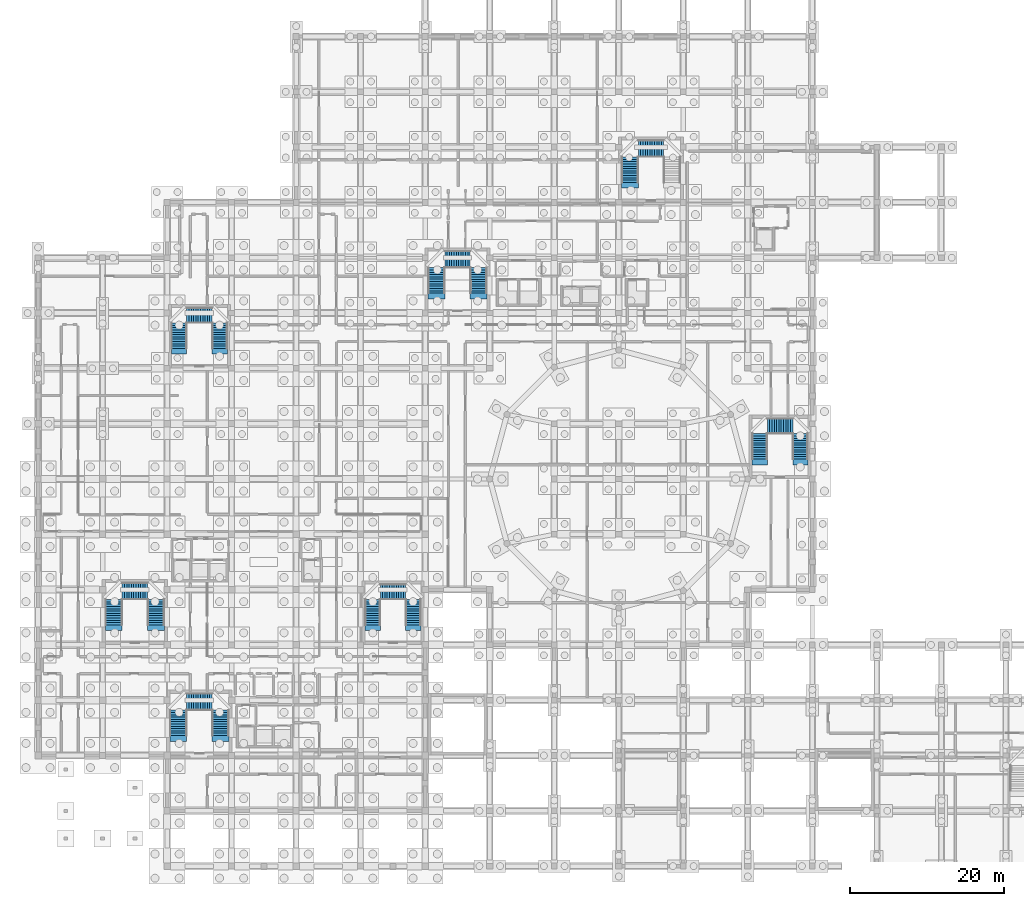
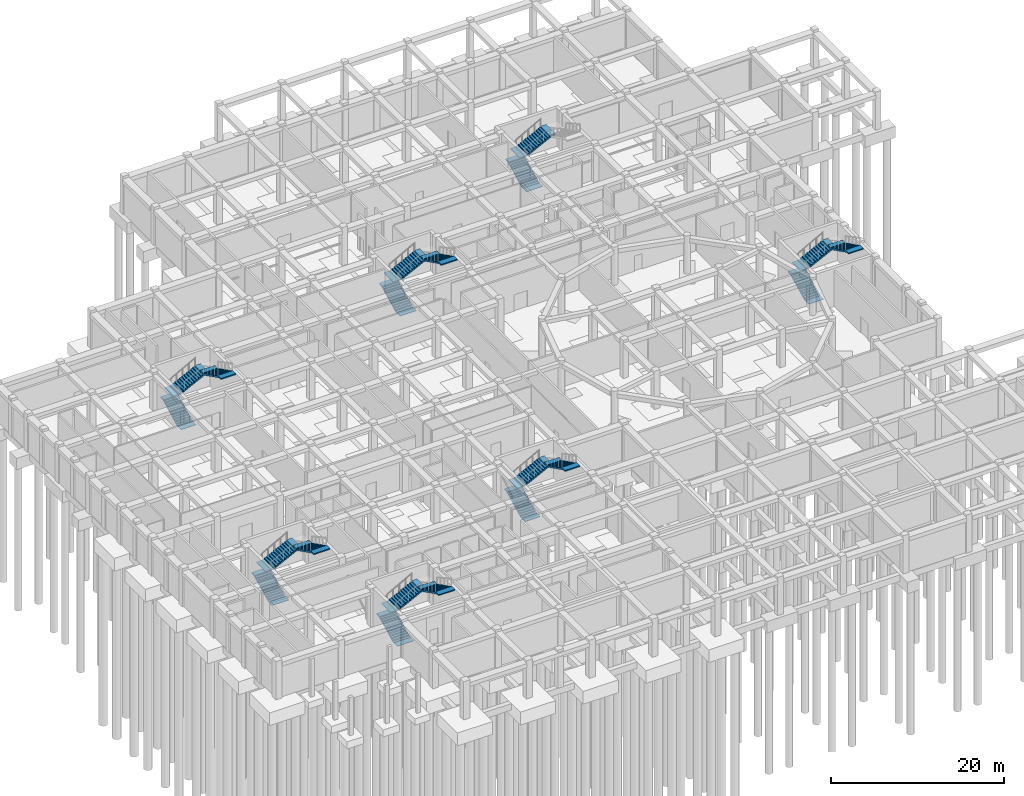
# One storey, part 28 of 32: 20 stair flights, 7 elements without a shape of their own.
"""IFC4 building model written with IfcOpenShell, lengths in metres."""

from ifc_helpers import new_model, si_unit, derived_unit, direction, frame, origin, place, context, subcontext, project, spatial, polyline, outline, extrude, material, type_object, element, aggregate, save


model = new_model("IFC4")

# Units and contexts
model_context = context("Model", 3, precision=1e-05, world=origin(), true_north=direction((0.0, 1.0)))
body_context = subcontext(model_context, "Body", "Model", "MODEL_VIEW")
ifc_project = project(units=[si_unit("LENGTHUNIT", "METRE"), si_unit("AREAUNIT", "SQUARE_METRE"), si_unit("VOLUMEUNIT", "CUBIC_METRE"), si_unit("PLANEANGLEUNIT", "RADIAN"), si_unit("MASSUNIT", "GRAM", prefix="KILO"), derived_unit("THERMALTRANSMITTANCEUNIT", [(si_unit("POWERUNIT", "WATT"), 1), (si_unit("LENGTHUNIT", "METRE"), -2), (si_unit("THERMODYNAMICTEMPERATUREUNIT", "KELVIN"), -1)])], contexts=[model_context])

# Site, building, storey
site_placement = place(None, origin())
site = spatial("IfcSite", under=ifc_project, at=site_placement, CompositionType="ELEMENT")
building_placement = place(site_placement, origin())
building = spatial("IfcBuilding", under=site, at=building_placement, Name="Veybourne Emporium", CompositionType="ELEMENT")
storey_placement = place(building_placement, frame((0.0, 0.0, -5.39990234375)))
storey = spatial("IfcBuildingStorey", under=building, at=storey_placement, Name="B1", CompositionType="ELEMENT", Elevation=-5.39990234375)

# Stair, stair flights
ifc_material = material(Name="Concrete C32/40", Category="concrete")
stair_type_1 = type_object("IfcStairType", Name="Stair_ST-05-R36", PredefinedType="TWO_QUARTER_TURN_STAIR", material=ifc_material)
stair_1_placement = place(storey_placement, origin())
stair_1 = element("IfcStair", 1, at=stair_1_placement, inside=storey, type_object=stair_type_1, Name="B1 stair ST-05", PredefinedType="TWO_QUARTER_TURN_STAIR")
stair_flight_type_1 = type_object("IfcStairFlightType", Name="Flight_FL-2000-R12", PredefinedType="STRAIGHT", material=ifc_material)
stair_flight_1_placement = place(storey_placement, frame((43.550048828125, 31.39990234375, 0.0), z_axis=(0.0, 0.0, 1.0), x_axis=(0.0, 1.0, 0.0)))
stair_flight_1 = element("IfcStairFlight", 2, at=stair_flight_1_placement, type_object=stair_flight_type_1, Name="ST-05-R36 flight 1", NumberOfRisers=12, NumberOfTreads=11, PredefinedType="STRAIGHT", RiserHeight=0.15, TreadLength=0.3, context=body_context, shape_type="SweptSolid", body=[
    extrude(outline(polyline([(-0.75, 0.0), (-0.75, 0.080078125), (-0.375, 0.080078125), (0.0, 0.080078125), (0.0, 0.14990234375), (0.300048828125, 0.14990234375), (0.300048828125, 0.300048828125), (0.60009765625, 0.300048828125), (0.60009765625, 0.449951171875), (0.89990234375, 0.449951171875), (0.89990234375, 0.60009765625), (1.199951171875, 0.60009765625), (1.199951171875, 0.75), (1.5, 0.75), (1.5, 0.89990234375), (1.800048828125, 0.89990234375), (1.800048828125, 1.050048828125), (2.10009765625, 1.050048828125), (2.10009765625, 1.199951171875), (2.39990234375, 1.199951171875), (2.39990234375, 1.35009765625), (2.699951171875, 1.35009765625), (2.699951171875, 1.5), (3.0, 1.5), (3.0, 1.64990234375), (3.300048828125, 1.64990234375), (3.300048828125, 1.800048828125), (3.675048828125, 1.800048828125), (4.050048828125, 1.800048828125), (4.050048828125, 1.639892578125), (3.675048828125, 1.639892578125), (3.300048828125, 1.47119140625), (0.357666015625, 0.0), (-0.75, 0.0)])), frame((0.0, 1.0, 0.0), z_axis=(0.0, -1.0, 0.0), x_axis=(1.0, 0.0, 0.0)), (0.0, 0.0, 1.0), 2.0),
])
stair_flight_2_placement = place(storey_placement, frame((44.550048828125, 35.699951171875, 1.7998046875), z_axis=(0.0, 0.0, 1.0), x_axis=(1.0, 0.0, 0.0)))
stair_flight_2 = element("IfcStairFlight", 3, at=stair_flight_2_placement, type_object=stair_flight_type_1, Name="ST-05-R36 flight 2", NumberOfRisers=12, NumberOfTreads=11, PredefinedType="STRAIGHT", RiserHeight=0.15, TreadLength=0.3, context=body_context, shape_type="SweptSolid", body=[
    extrude(outline(polyline([(-0.75, 0.0), (-0.75, 0.080078125), (-0.375, 0.080078125), (0.0, 0.080078125), (0.0, 0.14990234375), (0.300048828125, 0.14990234375), (0.300048828125, 0.300048828125), (0.60009765625, 0.300048828125), (0.60009765625, 0.449951171875), (0.89990234375, 0.449951171875), (0.89990234375, 0.60009765625), (1.199951171875, 0.60009765625), (1.199951171875, 0.75), (1.5, 0.75), (1.5, 0.89990234375), (1.800048828125, 0.89990234375), (1.800048828125, 1.050048828125), (2.10009765625, 1.050048828125), (2.10009765625, 1.199951171875), (2.39990234375, 1.199951171875), (2.39990234375, 1.35009765625), (2.699951171875, 1.35009765625), (2.699951171875, 1.5), (3.0, 1.5), (3.0, 1.64990234375), (3.300048828125, 1.64990234375), (3.300048828125, 1.800048828125), (3.675048828125, 1.800048828125), (4.050048828125, 1.800048828125), (4.050048828125, 1.639892578125), (3.675048828125, 1.639892578125), (3.300048828125, 1.47119140625), (0.357666015625, 0.0), (-0.75, 0.0)])), frame((0.0, 1.0, 0.0), z_axis=(0.0, -1.0, 0.0), x_axis=(1.0, 0.0, 0.0)), (0.0, 0.0, 1.0), 2.0),
])
stair_flight_3_placement = place(storey_placement, frame((48.85009765625, 34.699951171875, 3.599853515625), z_axis=(0.0, 0.0, 1.0), x_axis=(0.0, -1.0, 0.0)))
stair_flight_3 = element("IfcStairFlight", 4, at=stair_flight_3_placement, type_object=stair_flight_type_1, Name="ST-05-R36 flight 3", NumberOfRisers=12, NumberOfTreads=11, PredefinedType="STRAIGHT", RiserHeight=0.15, TreadLength=0.3, context=body_context, shape_type="SweptSolid", body=[
    extrude(outline(polyline([(-0.75, 0.0), (-0.75, 0.080078125), (-0.375, 0.080078125), (0.0, 0.080078125), (0.0, 0.14990234375), (0.300048828125, 0.14990234375), (0.300048828125, 0.300048828125), (0.60009765625, 0.300048828125), (0.60009765625, 0.449951171875), (0.89990234375, 0.449951171875), (0.89990234375, 0.60009765625), (1.199951171875, 0.60009765625), (1.199951171875, 0.75), (1.5, 0.75), (1.5, 0.89990234375), (1.800048828125, 0.89990234375), (1.800048828125, 1.050048828125), (2.10009765625, 1.050048828125), (2.10009765625, 1.199951171875), (2.39990234375, 1.199951171875), (2.39990234375, 1.35009765625), (2.699951171875, 1.35009765625), (2.699951171875, 1.5), (3.0, 1.5), (3.0, 1.64990234375), (3.300048828125, 1.64990234375), (3.300048828125, 1.800048828125), (3.675048828125, 1.800048828125), (4.050048828125, 1.800048828125), (4.050048828125, 1.639892578125), (3.675048828125, 1.639892578125), (3.300048828125, 1.47119140625), (0.357666015625, 0.0), (-0.75, 0.0)])), frame((0.0, 1.0, 0.0), z_axis=(0.0, -1.0, 0.0), x_axis=(1.0, 0.0, 0.0)), (0.0, 0.0, 1.0), 2.0),
])
aggregate(stair_1, [stair_flight_1, stair_flight_2, stair_flight_3])

stair_type_2 = type_object("IfcStairType", Name="Stair_ST-07-R36", PredefinedType="TWO_QUARTER_TURN_STAIR", material=ifc_material)
stair_2_placement = place(storey_placement, origin())
stair_2 = element("IfcStair", 5, at=stair_2_placement, inside=storey, type_object=stair_type_2, Name="B1 stair ST-07", PredefinedType="TWO_QUARTER_TURN_STAIR")
stair_flight_4_placement = place(storey_placement, frame((93.949951171875, 53.0, 0.0), z_axis=(0.0, 0.0, 1.0), x_axis=(0.0, 1.0, 0.0)))
stair_flight_4 = element("IfcStairFlight", 6, at=stair_flight_4_placement, type_object=stair_flight_type_1, Name="ST-07-R36 flight 1", NumberOfRisers=12, NumberOfTreads=11, PredefinedType="STRAIGHT", RiserHeight=0.15, TreadLength=0.3, context=body_context, shape_type="SweptSolid", body=[
    extrude(outline(polyline([(-0.75, 0.0), (-0.75, 0.080078125), (-0.375, 0.080078125), (0.0, 0.080078125), (0.0, 0.14990234375), (0.300048828125, 0.14990234375), (0.300048828125, 0.300048828125), (0.60009765625, 0.300048828125), (0.60009765625, 0.449951171875), (0.89990234375, 0.449951171875), (0.89990234375, 0.60009765625), (1.199951171875, 0.60009765625), (1.199951171875, 0.75), (1.5, 0.75), (1.5, 0.89990234375), (1.800048828125, 0.89990234375), (1.800048828125, 1.050048828125), (2.10009765625, 1.050048828125), (2.10009765625, 1.199951171875), (2.39990234375, 1.199951171875), (2.39990234375, 1.35009765625), (2.699951171875, 1.35009765625), (2.699951171875, 1.5), (3.0, 1.5), (3.0, 1.64990234375), (3.300048828125, 1.64990234375), (3.300048828125, 1.800048828125), (3.675048828125, 1.800048828125), (4.050048828125, 1.800048828125), (4.050048828125, 1.639892578125), (3.675048828125, 1.639892578125), (3.300048828125, 1.47119140625), (0.357666015625, 0.0), (-0.75, 0.0)])), frame((0.0, 1.0, 0.0), z_axis=(0.0, -1.0, 0.0), x_axis=(1.0, 0.0, 0.0)), (0.0, 0.0, 1.0), 2.0),
])
stair_flight_5_placement = place(storey_placement, frame((94.949951171875, 57.300048828125, 1.7998046875), z_axis=(0.0, 0.0, 1.0), x_axis=(1.0, 0.0, 0.0)))
stair_flight_5 = element("IfcStairFlight", 7, at=stair_flight_5_placement, type_object=stair_flight_type_1, Name="ST-07-R36 flight 2", NumberOfRisers=12, NumberOfTreads=11, PredefinedType="STRAIGHT", RiserHeight=0.15, TreadLength=0.3, context=body_context, shape_type="SweptSolid", body=[
    extrude(outline(polyline([(-0.75, 0.0), (-0.75, 0.080078125), (-0.375, 0.080078125), (0.0, 0.080078125), (0.0, 0.14990234375), (0.300048828125, 0.14990234375), (0.300048828125, 0.300048828125), (0.60009765625, 0.300048828125), (0.60009765625, 0.449951171875), (0.89990234375, 0.449951171875), (0.89990234375, 0.60009765625), (1.199951171875, 0.60009765625), (1.199951171875, 0.75), (1.5, 0.75), (1.5, 0.89990234375), (1.800048828125, 0.89990234375), (1.800048828125, 1.050048828125), (2.10009765625, 1.050048828125), (2.10009765625, 1.199951171875), (2.39990234375, 1.199951171875), (2.39990234375, 1.35009765625), (2.699951171875, 1.35009765625), (2.699951171875, 1.5), (3.0, 1.5), (3.0, 1.64990234375), (3.300048828125, 1.64990234375), (3.300048828125, 1.800048828125), (3.675048828125, 1.800048828125), (4.050048828125, 1.800048828125), (4.050048828125, 1.639892578125), (3.675048828125, 1.639892578125), (3.300048828125, 1.47119140625), (0.357666015625, 0.0), (-0.75, 0.0)])), frame((0.0, 1.0, 0.0), z_axis=(0.0, -1.0, 0.0), x_axis=(1.0, 0.0, 0.0)), (0.0, 0.0, 1.0), 2.0),
])
stair_flight_6_placement = place(storey_placement, frame((99.25, 56.300048828125, 3.599853515625), z_axis=(0.0, 0.0, 1.0), x_axis=(0.0, -1.0, 0.0)))
stair_flight_6 = element("IfcStairFlight", 8, at=stair_flight_6_placement, type_object=stair_flight_type_1, Name="ST-07-R36 flight 3", NumberOfRisers=12, NumberOfTreads=11, PredefinedType="STRAIGHT", RiserHeight=0.15, TreadLength=0.3, context=body_context, shape_type="SweptSolid", body=[
    extrude(outline(polyline([(-0.75, 0.0), (-0.75, 0.080078125), (-0.375, 0.080078125), (0.0, 0.080078125), (0.0, 0.14990234375), (0.300048828125, 0.14990234375), (0.300048828125, 0.300048828125), (0.60009765625, 0.300048828125), (0.60009765625, 0.449951171875), (0.89990234375, 0.449951171875), (0.89990234375, 0.60009765625), (1.199951171875, 0.60009765625), (1.199951171875, 0.75), (1.5, 0.75), (1.5, 0.89990234375), (1.800048828125, 0.89990234375), (1.800048828125, 1.050048828125), (2.10009765625, 1.050048828125), (2.10009765625, 1.199951171875), (2.39990234375, 1.199951171875), (2.39990234375, 1.35009765625), (2.699951171875, 1.35009765625), (2.699951171875, 1.5), (3.0, 1.5), (3.0, 1.64990234375), (3.300048828125, 1.64990234375), (3.300048828125, 1.800048828125), (3.675048828125, 1.800048828125), (4.050048828125, 1.800048828125), (4.050048828125, 1.639892578125), (3.675048828125, 1.639892578125), (3.300048828125, 1.47119140625), (0.357666015625, 0.0), (-0.75, 0.0)])), frame((0.0, 1.0, 0.0), z_axis=(0.0, -1.0, 0.0), x_axis=(1.0, 0.0, 0.0)), (0.0, 0.0, 1.0), 2.0),
])
aggregate(stair_2, [stair_flight_4, stair_flight_5, stair_flight_6])

stair_type_3 = type_object("IfcStairType", Name="Stair_ST-08-R36", PredefinedType="TWO_QUARTER_TURN_STAIR", material=ifc_material)
stair_3_placement = place(storey_placement, origin())
stair_3 = element("IfcStair", 9, at=stair_3_placement, inside=storey, type_object=stair_type_3, Name="B1 stair ST-08", PredefinedType="TWO_QUARTER_TURN_STAIR")
stair_flight_7_placement = place(storey_placement, frame((18.35009765625, 67.39990234375, 0.0), z_axis=(0.0, 0.0, 1.0), x_axis=(0.0, 1.0, 0.0)))
stair_flight_7 = element("IfcStairFlight", 10, at=stair_flight_7_placement, type_object=stair_flight_type_1, Name="ST-08-R36 flight 1", NumberOfRisers=12, NumberOfTreads=11, PredefinedType="STRAIGHT", RiserHeight=0.15, TreadLength=0.3, context=body_context, shape_type="SweptSolid", body=[
    extrude(outline(polyline([(-0.75, 0.0), (-0.75, 0.080078125), (-0.375, 0.080078125), (0.0, 0.080078125), (0.0, 0.14990234375), (0.300048828125, 0.14990234375), (0.300048828125, 0.300048828125), (0.60009765625, 0.300048828125), (0.60009765625, 0.449951171875), (0.89990234375, 0.449951171875), (0.89990234375, 0.60009765625), (1.199951171875, 0.60009765625), (1.199951171875, 0.75), (1.5, 0.75), (1.5, 0.89990234375), (1.800048828125, 0.89990234375), (1.800048828125, 1.050048828125), (2.10009765625, 1.050048828125), (2.10009765625, 1.199951171875), (2.39990234375, 1.199951171875), (2.39990234375, 1.35009765625), (2.699951171875, 1.35009765625), (2.699951171875, 1.5), (3.0, 1.5), (3.0, 1.64990234375), (3.300048828125, 1.64990234375), (3.300048828125, 1.800048828125), (3.675048828125, 1.800048828125), (4.050048828125, 1.800048828125), (4.050048828125, 1.639892578125), (3.675048828125, 1.639892578125), (3.300048828125, 1.47119140625), (0.357666015625, 0.0), (-0.75, 0.0)])), frame((0.0, 1.0, 0.0), z_axis=(0.0, -1.0, 0.0), x_axis=(1.0, 0.0, 0.0)), (0.0, 0.0, 1.0), 2.0),
])
stair_flight_8_placement = place(storey_placement, frame((19.35009765625, 71.699951171875, 1.7998046875), z_axis=(0.0, 0.0, 1.0), x_axis=(1.0, 0.0, 0.0)))
stair_flight_8 = element("IfcStairFlight", 11, at=stair_flight_8_placement, type_object=stair_flight_type_1, Name="ST-08-R36 flight 2", NumberOfRisers=12, NumberOfTreads=11, PredefinedType="STRAIGHT", RiserHeight=0.15, TreadLength=0.3, context=body_context, shape_type="SweptSolid", body=[
    extrude(outline(polyline([(-0.75, 0.0), (-0.75, 0.080078125), (-0.375, 0.080078125), (0.0, 0.080078125), (0.0, 0.14990234375), (0.300048828125, 0.14990234375), (0.300048828125, 0.300048828125), (0.60009765625, 0.300048828125), (0.60009765625, 0.449951171875), (0.89990234375, 0.449951171875), (0.89990234375, 0.60009765625), (1.199951171875, 0.60009765625), (1.199951171875, 0.75), (1.5, 0.75), (1.5, 0.89990234375), (1.800048828125, 0.89990234375), (1.800048828125, 1.050048828125), (2.10009765625, 1.050048828125), (2.10009765625, 1.199951171875), (2.39990234375, 1.199951171875), (2.39990234375, 1.35009765625), (2.699951171875, 1.35009765625), (2.699951171875, 1.5), (3.0, 1.5), (3.0, 1.64990234375), (3.300048828125, 1.64990234375), (3.300048828125, 1.800048828125), (3.675048828125, 1.800048828125), (4.050048828125, 1.800048828125), (4.050048828125, 1.639892578125), (3.675048828125, 1.639892578125), (3.300048828125, 1.47119140625), (0.357666015625, 0.0), (-0.75, 0.0)])), frame((0.0, 1.0, 0.0), z_axis=(0.0, -1.0, 0.0), x_axis=(1.0, 0.0, 0.0)), (0.0, 0.0, 1.0), 2.0),
])
stair_flight_9_placement = place(storey_placement, frame((23.64990234375, 70.699951171875, 3.599853515625), z_axis=(0.0, 0.0, 1.0), x_axis=(0.0, -1.0, 0.0)))
stair_flight_9 = element("IfcStairFlight", 12, at=stair_flight_9_placement, type_object=stair_flight_type_1, Name="ST-08-R36 flight 3", NumberOfRisers=12, NumberOfTreads=11, PredefinedType="STRAIGHT", RiserHeight=0.15, TreadLength=0.3, context=body_context, shape_type="SweptSolid", body=[
    extrude(outline(polyline([(-0.75, 0.0), (-0.75, 0.080078125), (-0.375, 0.080078125), (0.0, 0.080078125), (0.0, 0.14990234375), (0.300048828125, 0.14990234375), (0.300048828125, 0.300048828125), (0.60009765625, 0.300048828125), (0.60009765625, 0.449951171875), (0.89990234375, 0.449951171875), (0.89990234375, 0.60009765625), (1.199951171875, 0.60009765625), (1.199951171875, 0.75), (1.5, 0.75), (1.5, 0.89990234375), (1.800048828125, 0.89990234375), (1.800048828125, 1.050048828125), (2.10009765625, 1.050048828125), (2.10009765625, 1.199951171875), (2.39990234375, 1.199951171875), (2.39990234375, 1.35009765625), (2.699951171875, 1.35009765625), (2.699951171875, 1.5), (3.0, 1.5), (3.0, 1.64990234375), (3.300048828125, 1.64990234375), (3.300048828125, 1.800048828125), (3.675048828125, 1.800048828125), (4.050048828125, 1.800048828125), (4.050048828125, 1.639892578125), (3.675048828125, 1.639892578125), (3.300048828125, 1.47119140625), (0.357666015625, 0.0), (-0.75, 0.0)])), frame((0.0, 1.0, 0.0), z_axis=(0.0, -1.0, 0.0), x_axis=(1.0, 0.0, 0.0)), (0.0, 0.0, 1.0), 2.0),
])
aggregate(stair_3, [stair_flight_7, stair_flight_8, stair_flight_9])

stair_type_4 = type_object("IfcStairType", Name="Stair_ST-01-R36", PredefinedType="TWO_QUARTER_TURN_STAIR", material=ifc_material)
stair_4_placement = place(storey_placement, origin())
stair_4 = element("IfcStair", 13, at=stair_4_placement, inside=storey, type_object=stair_type_4, Name="B1 stair ST-01", PredefinedType="TWO_QUARTER_TURN_STAIR")
stair_flight_type_2 = type_object("IfcStairFlightType", Name="Flight_FL-2200-R12", PredefinedType="STRAIGHT", material=ifc_material)
stair_flight_10_placement = place(storey_placement, frame((18.25, 17.0, 0.0), z_axis=(0.0, 0.0, 1.0), x_axis=(0.0, 1.0, 0.0)))
stair_flight_10 = element("IfcStairFlight", 14, at=stair_flight_10_placement, type_object=stair_flight_type_2, Name="ST-01-R36 flight 1", NumberOfRisers=12, NumberOfTreads=11, PredefinedType="STRAIGHT", RiserHeight=0.15, TreadLength=0.3, context=body_context, shape_type="SweptSolid", body=[
    extrude(outline(polyline([(-0.75, 0.0), (-0.75, 0.080078125), (-0.375, 0.080078125), (0.0, 0.080078125), (0.0, 0.14990234375), (0.300048828125, 0.14990234375), (0.300048828125, 0.300048828125), (0.60009765625, 0.300048828125), (0.60009765625, 0.449951171875), (0.89990234375, 0.449951171875), (0.89990234375, 0.60009765625), (1.199951171875, 0.60009765625), (1.199951171875, 0.75), (1.5, 0.75), (1.5, 0.89990234375), (1.800048828125, 0.89990234375), (1.800048828125, 1.050048828125), (2.10009765625, 1.050048828125), (2.10009765625, 1.199951171875), (2.39990234375, 1.199951171875), (2.39990234375, 1.35009765625), (2.699951171875, 1.35009765625), (2.699951171875, 1.5), (3.0, 1.5), (3.0, 1.64990234375), (3.300048828125, 1.64990234375), (3.300048828125, 1.800048828125), (3.675048828125, 1.800048828125), (4.050048828125, 1.800048828125), (4.050048828125, 1.639892578125), (3.675048828125, 1.639892578125), (3.300048828125, 1.47119140625), (0.357666015625, 0.0), (-0.75, 0.0)])), frame((0.0, 1.10009765625, 0.0), z_axis=(0.0, -1.0, 0.0), x_axis=(1.0, 0.0, 0.0)), (0.0, 0.0, 1.0), 2.199951171875),
])
stair_flight_11_placement = place(storey_placement, frame((19.35009765625, 21.39990234375, 1.7998046875), z_axis=(0.0, 0.0, 1.0), x_axis=(1.0, 0.0, 0.0)))
stair_flight_11 = element("IfcStairFlight", 15, at=stair_flight_11_placement, type_object=stair_flight_type_2, Name="ST-01-R36 flight 2", NumberOfRisers=12, NumberOfTreads=11, PredefinedType="STRAIGHT", RiserHeight=0.15, TreadLength=0.3, context=body_context, shape_type="SweptSolid", body=[
    extrude(outline(polyline([(-0.75, 0.0), (-0.75, 0.080078125), (-0.375, 0.080078125), (0.0, 0.080078125), (0.0, 0.14990234375), (0.300048828125, 0.14990234375), (0.300048828125, 0.300048828125), (0.60009765625, 0.300048828125), (0.60009765625, 0.449951171875), (0.89990234375, 0.449951171875), (0.89990234375, 0.60009765625), (1.199951171875, 0.60009765625), (1.199951171875, 0.75), (1.5, 0.75), (1.5, 0.89990234375), (1.800048828125, 0.89990234375), (1.800048828125, 1.050048828125), (2.10009765625, 1.050048828125), (2.10009765625, 1.199951171875), (2.39990234375, 1.199951171875), (2.39990234375, 1.35009765625), (2.699951171875, 1.35009765625), (2.699951171875, 1.5), (3.0, 1.5), (3.0, 1.64990234375), (3.300048828125, 1.64990234375), (3.300048828125, 1.800048828125), (3.675048828125, 1.800048828125), (4.050048828125, 1.800048828125), (4.050048828125, 1.639892578125), (3.675048828125, 1.639892578125), (3.300048828125, 1.47119140625), (0.357666015625, 0.0), (-0.75, 0.0)])), frame((0.0, 1.10009765625, 0.0), z_axis=(0.0, -1.0, 0.0), x_axis=(1.0, 0.0, 0.0)), (0.0, 0.0, 1.0), 2.199951171875),
])
stair_flight_12_placement = place(storey_placement, frame((23.75, 20.300048828125, 3.599853515625), z_axis=(0.0, 0.0, 1.0), x_axis=(0.0, -1.0, 0.0)))
stair_flight_12 = element("IfcStairFlight", 16, at=stair_flight_12_placement, type_object=stair_flight_type_2, Name="ST-01-R36 flight 3", NumberOfRisers=12, NumberOfTreads=11, PredefinedType="STRAIGHT", RiserHeight=0.15, TreadLength=0.3, context=body_context, shape_type="SweptSolid", body=[
    extrude(outline(polyline([(-0.75, 0.0), (-0.75, 0.080078125), (-0.375, 0.080078125), (0.0, 0.080078125), (0.0, 0.14990234375), (0.300048828125, 0.14990234375), (0.300048828125, 0.300048828125), (0.60009765625, 0.300048828125), (0.60009765625, 0.449951171875), (0.89990234375, 0.449951171875), (0.89990234375, 0.60009765625), (1.199951171875, 0.60009765625), (1.199951171875, 0.75), (1.5, 0.75), (1.5, 0.89990234375), (1.800048828125, 0.89990234375), (1.800048828125, 1.050048828125), (2.10009765625, 1.050048828125), (2.10009765625, 1.199951171875), (2.39990234375, 1.199951171875), (2.39990234375, 1.35009765625), (2.699951171875, 1.35009765625), (2.699951171875, 1.5), (3.0, 1.5), (3.0, 1.64990234375), (3.300048828125, 1.64990234375), (3.300048828125, 1.800048828125), (3.675048828125, 1.800048828125), (4.050048828125, 1.800048828125), (4.050048828125, 1.639892578125), (3.675048828125, 1.639892578125), (3.300048828125, 1.47119140625), (0.357666015625, 0.0), (-0.75, 0.0)])), frame((0.0, 1.10009765625, 0.0), z_axis=(0.0, -1.0, 0.0), x_axis=(1.0, 0.0, 0.0)), (0.0, 0.0, 1.0), 2.199951171875),
])
aggregate(stair_4, [stair_flight_10, stair_flight_11, stair_flight_12])

stair_type_5 = type_object("IfcStairType", Name="Stair_ST-02-R36", PredefinedType="TWO_QUARTER_TURN_STAIR", material=ifc_material)
stair_5_placement = place(storey_placement, origin())
stair_5 = element("IfcStair", 17, at=stair_5_placement, inside=storey, type_object=stair_type_5, Name="B1 stair ST-02", PredefinedType="TWO_QUARTER_TURN_STAIR")
stair_flight_13_placement = place(storey_placement, frame((9.85009765625, 31.39990234375, 0.0), z_axis=(0.0, 0.0, 1.0), x_axis=(0.0, 1.0, 0.0)))
stair_flight_13 = element("IfcStairFlight", 18, at=stair_flight_13_placement, type_object=stair_flight_type_2, Name="ST-02-R36 flight 1", NumberOfRisers=12, NumberOfTreads=11, PredefinedType="STRAIGHT", RiserHeight=0.15, TreadLength=0.3, context=body_context, shape_type="SweptSolid", body=[
    extrude(outline(polyline([(-0.75, 0.0), (-0.75, 0.080078125), (-0.375, 0.080078125), (0.0, 0.080078125), (0.0, 0.14990234375), (0.300048828125, 0.14990234375), (0.300048828125, 0.300048828125), (0.60009765625, 0.300048828125), (0.60009765625, 0.449951171875), (0.89990234375, 0.449951171875), (0.89990234375, 0.60009765625), (1.199951171875, 0.60009765625), (1.199951171875, 0.75), (1.5, 0.75), (1.5, 0.89990234375), (1.800048828125, 0.89990234375), (1.800048828125, 1.050048828125), (2.10009765625, 1.050048828125), (2.10009765625, 1.199951171875), (2.39990234375, 1.199951171875), (2.39990234375, 1.35009765625), (2.699951171875, 1.35009765625), (2.699951171875, 1.5), (3.0, 1.5), (3.0, 1.64990234375), (3.300048828125, 1.64990234375), (3.300048828125, 1.800048828125), (3.675048828125, 1.800048828125), (4.050048828125, 1.800048828125), (4.050048828125, 1.639892578125), (3.675048828125, 1.639892578125), (3.300048828125, 1.47119140625), (0.357666015625, 0.0), (-0.75, 0.0)])), frame((0.0, 1.10009765625, 0.0), z_axis=(0.0, -1.0, 0.0), x_axis=(1.0, 0.0, 0.0)), (0.0, 0.0, 1.0), 2.199951171875),
])
stair_flight_14_placement = place(storey_placement, frame((10.949951171875, 35.800048828125, 1.7998046875), z_axis=(0.0, 0.0, 1.0), x_axis=(1.0, 0.0, 0.0)))
stair_flight_14 = element("IfcStairFlight", 19, at=stair_flight_14_placement, type_object=stair_flight_type_2, Name="ST-02-R36 flight 2", NumberOfRisers=12, NumberOfTreads=11, PredefinedType="STRAIGHT", RiserHeight=0.15, TreadLength=0.3, context=body_context, shape_type="SweptSolid", body=[
    extrude(outline(polyline([(-0.75, 0.0), (-0.75, 0.080078125), (-0.375, 0.080078125), (0.0, 0.080078125), (0.0, 0.14990234375), (0.300048828125, 0.14990234375), (0.300048828125, 0.300048828125), (0.60009765625, 0.300048828125), (0.60009765625, 0.449951171875), (0.89990234375, 0.449951171875), (0.89990234375, 0.60009765625), (1.199951171875, 0.60009765625), (1.199951171875, 0.75), (1.5, 0.75), (1.5, 0.89990234375), (1.800048828125, 0.89990234375), (1.800048828125, 1.050048828125), (2.10009765625, 1.050048828125), (2.10009765625, 1.199951171875), (2.39990234375, 1.199951171875), (2.39990234375, 1.35009765625), (2.699951171875, 1.35009765625), (2.699951171875, 1.5), (3.0, 1.5), (3.0, 1.64990234375), (3.300048828125, 1.64990234375), (3.300048828125, 1.800048828125), (3.675048828125, 1.800048828125), (4.050048828125, 1.800048828125), (4.050048828125, 1.639892578125), (3.675048828125, 1.639892578125), (3.300048828125, 1.47119140625), (0.357666015625, 0.0), (-0.75, 0.0)])), frame((0.0, 1.10009765625, 0.0), z_axis=(0.0, -1.0, 0.0), x_axis=(1.0, 0.0, 0.0)), (0.0, 0.0, 1.0), 2.199951171875),
])
stair_flight_15_placement = place(storey_placement, frame((15.35009765625, 34.699951171875, 3.599853515625), z_axis=(0.0, 0.0, 1.0), x_axis=(0.0, -1.0, 0.0)))
stair_flight_15 = element("IfcStairFlight", 20, at=stair_flight_15_placement, type_object=stair_flight_type_2, Name="ST-02-R36 flight 3", NumberOfRisers=12, NumberOfTreads=11, PredefinedType="STRAIGHT", RiserHeight=0.15, TreadLength=0.3, context=body_context, shape_type="SweptSolid", body=[
    extrude(outline(polyline([(-0.75, 0.0), (-0.75, 0.080078125), (-0.375, 0.080078125), (0.0, 0.080078125), (0.0, 0.14990234375), (0.300048828125, 0.14990234375), (0.300048828125, 0.300048828125), (0.60009765625, 0.300048828125), (0.60009765625, 0.449951171875), (0.89990234375, 0.449951171875), (0.89990234375, 0.60009765625), (1.199951171875, 0.60009765625), (1.199951171875, 0.75), (1.5, 0.75), (1.5, 0.89990234375), (1.800048828125, 0.89990234375), (1.800048828125, 1.050048828125), (2.10009765625, 1.050048828125), (2.10009765625, 1.199951171875), (2.39990234375, 1.199951171875), (2.39990234375, 1.35009765625), (2.699951171875, 1.35009765625), (2.699951171875, 1.5), (3.0, 1.5), (3.0, 1.64990234375), (3.300048828125, 1.64990234375), (3.300048828125, 1.800048828125), (3.675048828125, 1.800048828125), (4.050048828125, 1.800048828125), (4.050048828125, 1.639892578125), (3.675048828125, 1.639892578125), (3.300048828125, 1.47119140625), (0.357666015625, 0.0), (-0.75, 0.0)])), frame((0.0, 1.10009765625, 0.0), z_axis=(0.0, -1.0, 0.0), x_axis=(1.0, 0.0, 0.0)), (0.0, 0.0, 1.0), 2.199951171875),
])
aggregate(stair_5, [stair_flight_13, stair_flight_14, stair_flight_15])

stair_type_6 = type_object("IfcStairType", Name="Stair_ST-03-R36", PredefinedType="TWO_QUARTER_TURN_STAIR", material=ifc_material)
stair_6_placement = place(storey_placement, origin())
stair_6 = element("IfcStair", 21, at=stair_6_placement, inside=storey, type_object=stair_type_6, Name="B1 stair ST-03", PredefinedType="TWO_QUARTER_TURN_STAIR")
stair_flight_16_placement = place(storey_placement, frame((51.85009765625, 74.60009765625, 0.0), z_axis=(0.0, 0.0, 1.0), x_axis=(0.0, 1.0, 0.0)))
stair_flight_16 = element("IfcStairFlight", 22, at=stair_flight_16_placement, type_object=stair_flight_type_2, Name="ST-03-R36 flight 1", NumberOfRisers=12, NumberOfTreads=11, PredefinedType="STRAIGHT", RiserHeight=0.15, TreadLength=0.3, context=body_context, shape_type="SweptSolid", body=[
    extrude(outline(polyline([(-0.75, 0.0), (-0.75, 0.080078125), (-0.375, 0.080078125), (0.0, 0.080078125), (0.0, 0.14990234375), (0.300048828125, 0.14990234375), (0.300048828125, 0.300048828125), (0.60009765625, 0.300048828125), (0.60009765625, 0.449951171875), (0.89990234375, 0.449951171875), (0.89990234375, 0.60009765625), (1.199951171875, 0.60009765625), (1.199951171875, 0.75), (1.5, 0.75), (1.5, 0.89990234375), (1.800048828125, 0.89990234375), (1.800048828125, 1.050048828125), (2.10009765625, 1.050048828125), (2.10009765625, 1.199951171875), (2.39990234375, 1.199951171875), (2.39990234375, 1.35009765625), (2.699951171875, 1.35009765625), (2.699951171875, 1.5), (3.0, 1.5), (3.0, 1.64990234375), (3.300048828125, 1.64990234375), (3.300048828125, 1.800048828125), (3.675048828125, 1.800048828125), (4.050048828125, 1.800048828125), (4.050048828125, 1.639892578125), (3.675048828125, 1.639892578125), (3.300048828125, 1.47119140625), (0.357666015625, 0.0), (-0.75, 0.0)])), frame((0.0, 1.10009765625, 0.0), z_axis=(0.0, -1.0, 0.0), x_axis=(1.0, 0.0, 0.0)), (0.0, 0.0, 1.0), 2.199951171875),
])
stair_flight_17_placement = place(storey_placement, frame((52.949951171875, 79.0, 1.7998046875), z_axis=(0.0, 0.0, 1.0), x_axis=(1.0, 0.0, 0.0)))
stair_flight_17 = element("IfcStairFlight", 23, at=stair_flight_17_placement, type_object=stair_flight_type_2, Name="ST-03-R36 flight 2", NumberOfRisers=12, NumberOfTreads=11, PredefinedType="STRAIGHT", RiserHeight=0.15, TreadLength=0.3, context=body_context, shape_type="SweptSolid", body=[
    extrude(outline(polyline([(-0.75, 0.0), (-0.75, 0.080078125), (-0.375, 0.080078125), (0.0, 0.080078125), (0.0, 0.14990234375), (0.300048828125, 0.14990234375), (0.300048828125, 0.300048828125), (0.60009765625, 0.300048828125), (0.60009765625, 0.449951171875), (0.89990234375, 0.449951171875), (0.89990234375, 0.60009765625), (1.199951171875, 0.60009765625), (1.199951171875, 0.75), (1.5, 0.75), (1.5, 0.89990234375), (1.800048828125, 0.89990234375), (1.800048828125, 1.050048828125), (2.10009765625, 1.050048828125), (2.10009765625, 1.199951171875), (2.39990234375, 1.199951171875), (2.39990234375, 1.35009765625), (2.699951171875, 1.35009765625), (2.699951171875, 1.5), (3.0, 1.5), (3.0, 1.64990234375), (3.300048828125, 1.64990234375), (3.300048828125, 1.800048828125), (3.675048828125, 1.800048828125), (4.050048828125, 1.800048828125), (4.050048828125, 1.639892578125), (3.675048828125, 1.639892578125), (3.300048828125, 1.47119140625), (0.357666015625, 0.0), (-0.75, 0.0)])), frame((0.0, 1.10009765625, 0.0), z_axis=(0.0, -1.0, 0.0), x_axis=(1.0, 0.0, 0.0)), (0.0, 0.0, 1.0), 2.199951171875),
])
stair_flight_18_placement = place(storey_placement, frame((57.35009765625, 77.89990234375, 3.599853515625), z_axis=(0.0, 0.0, 1.0), x_axis=(0.0, -1.0, 0.0)))
stair_flight_18 = element("IfcStairFlight", 24, at=stair_flight_18_placement, type_object=stair_flight_type_2, Name="ST-03-R36 flight 3", NumberOfRisers=12, NumberOfTreads=11, PredefinedType="STRAIGHT", RiserHeight=0.15, TreadLength=0.3, context=body_context, shape_type="SweptSolid", body=[
    extrude(outline(polyline([(-0.75, 0.0), (-0.75, 0.080078125), (-0.375, 0.080078125), (0.0, 0.080078125), (0.0, 0.14990234375), (0.300048828125, 0.14990234375), (0.300048828125, 0.300048828125), (0.60009765625, 0.300048828125), (0.60009765625, 0.449951171875), (0.89990234375, 0.449951171875), (0.89990234375, 0.60009765625), (1.199951171875, 0.60009765625), (1.199951171875, 0.75), (1.5, 0.75), (1.5, 0.89990234375), (1.800048828125, 0.89990234375), (1.800048828125, 1.050048828125), (2.10009765625, 1.050048828125), (2.10009765625, 1.199951171875), (2.39990234375, 1.199951171875), (2.39990234375, 1.35009765625), (2.699951171875, 1.35009765625), (2.699951171875, 1.5), (3.0, 1.5), (3.0, 1.64990234375), (3.300048828125, 1.64990234375), (3.300048828125, 1.800048828125), (3.675048828125, 1.800048828125), (4.050048828125, 1.800048828125), (4.050048828125, 1.639892578125), (3.675048828125, 1.639892578125), (3.300048828125, 1.47119140625), (0.357666015625, 0.0), (-0.75, 0.0)])), frame((0.0, 1.10009765625, 0.0), z_axis=(0.0, -1.0, 0.0), x_axis=(1.0, 0.0, 0.0)), (0.0, 0.0, 1.0), 2.199951171875),
])
aggregate(stair_6, [stair_flight_16, stair_flight_17, stair_flight_18])

stair_type_7 = type_object("IfcStairType", Name="Stair_ST-04-R36", PredefinedType="TWO_QUARTER_TURN_STAIR", material=ifc_material)
stair_7_placement = place(storey_placement, origin())
stair_7 = element("IfcStair", 25, at=stair_7_placement, inside=storey, type_object=stair_type_7, Name="B1 stair ST-04", PredefinedType="TWO_QUARTER_TURN_STAIR")
stair_flight_19_placement = place(storey_placement, frame((77.050048828125, 89.0, 0.0), z_axis=(0.0, 0.0, 1.0), x_axis=(0.0, 1.0, 0.0)))
stair_flight_19 = element("IfcStairFlight", 26, at=stair_flight_19_placement, type_object=stair_flight_type_2, Name="ST-04-R36 flight 1", NumberOfRisers=12, NumberOfTreads=11, PredefinedType="STRAIGHT", RiserHeight=0.15, TreadLength=0.3, context=body_context, shape_type="SweptSolid", body=[
    extrude(outline(polyline([(-0.75, 0.0), (-0.75, 0.080078125), (-0.375, 0.080078125), (0.0, 0.080078125), (0.0, 0.14990234375), (0.300048828125, 0.14990234375), (0.300048828125, 0.300048828125), (0.60009765625, 0.300048828125), (0.60009765625, 0.449951171875), (0.89990234375, 0.449951171875), (0.89990234375, 0.60009765625), (1.199951171875, 0.60009765625), (1.199951171875, 0.75), (1.5, 0.75), (1.5, 0.89990234375), (1.800048828125, 0.89990234375), (1.800048828125, 1.050048828125), (2.10009765625, 1.050048828125), (2.10009765625, 1.199951171875), (2.39990234375, 1.199951171875), (2.39990234375, 1.35009765625), (2.699951171875, 1.35009765625), (2.699951171875, 1.5), (3.0, 1.5), (3.0, 1.64990234375), (3.300048828125, 1.64990234375), (3.300048828125, 1.800048828125), (3.675048828125, 1.800048828125), (4.050048828125, 1.800048828125), (4.050048828125, 1.639892578125), (3.675048828125, 1.639892578125), (3.300048828125, 1.47119140625), (0.357666015625, 0.0), (-0.75, 0.0)])), frame((0.0, 1.10009765625, 0.0), z_axis=(0.0, -1.0, 0.0), x_axis=(1.0, 0.0, 0.0)), (0.0, 0.0, 1.0), 2.199951171875),
])
stair_flight_20_placement = place(storey_placement, frame((78.14990234375, 93.39990234375, 1.7998046875), z_axis=(0.0, 0.0, 1.0), x_axis=(1.0, 0.0, 0.0)))
stair_flight_20 = element("IfcStairFlight", 27, at=stair_flight_20_placement, type_object=stair_flight_type_2, Name="ST-04-R36 flight 2", NumberOfRisers=12, NumberOfTreads=11, PredefinedType="STRAIGHT", RiserHeight=0.15, TreadLength=0.3, context=body_context, shape_type="SweptSolid", body=[
    extrude(outline(polyline([(-0.75, 0.0), (-0.75, 0.080078125), (-0.375, 0.080078125), (0.0, 0.080078125), (0.0, 0.14990234375), (0.300048828125, 0.14990234375), (0.300048828125, 0.300048828125), (0.60009765625, 0.300048828125), (0.60009765625, 0.449951171875), (0.89990234375, 0.449951171875), (0.89990234375, 0.60009765625), (1.199951171875, 0.60009765625), (1.199951171875, 0.75), (1.5, 0.75), (1.5, 0.89990234375), (1.800048828125, 0.89990234375), (1.800048828125, 1.050048828125), (2.10009765625, 1.050048828125), (2.10009765625, 1.199951171875), (2.39990234375, 1.199951171875), (2.39990234375, 1.35009765625), (2.699951171875, 1.35009765625), (2.699951171875, 1.5), (3.0, 1.5), (3.0, 1.64990234375), (3.300048828125, 1.64990234375), (3.300048828125, 1.800048828125), (3.675048828125, 1.800048828125), (4.050048828125, 1.800048828125), (4.050048828125, 1.639892578125), (3.675048828125, 1.639892578125), (3.300048828125, 1.47119140625), (0.357666015625, 0.0), (-0.75, 0.0)])), frame((0.0, 1.10009765625, 0.0), z_axis=(0.0, -1.0, 0.0), x_axis=(1.0, 0.0, 0.0)), (0.0, 0.0, 1.0), 2.199951171875),
])
aggregate(stair_7, [stair_flight_19, stair_flight_20])

save(model, "model.ifc")
